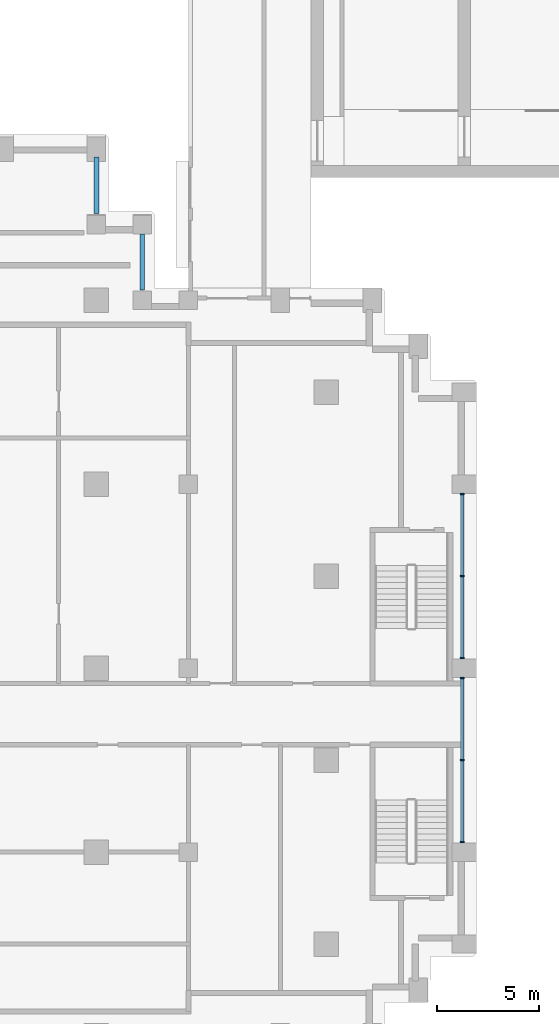
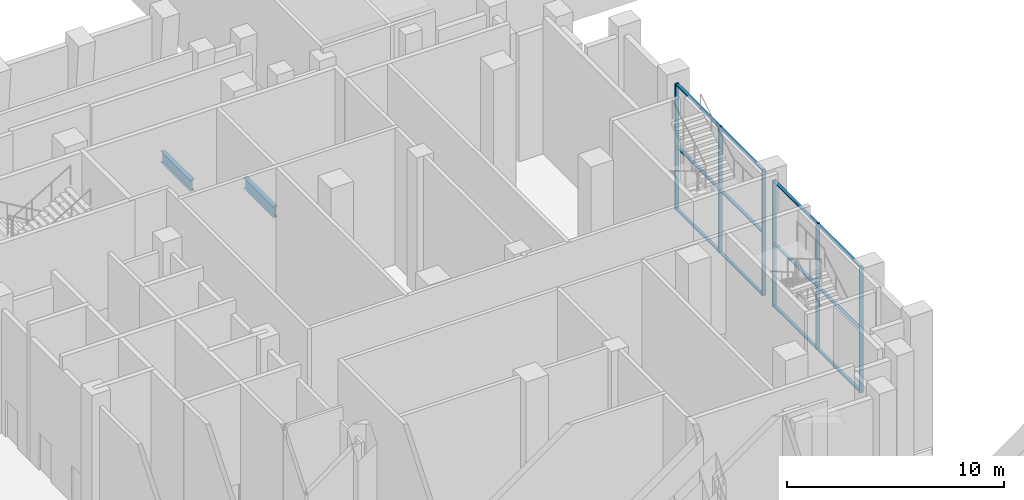
# One storey, part 6 of 24: 18 members, 2 beams, 2 elements without a shape of their own.
"""IFC4 building model written with IfcOpenShell, lengths in metres."""

from ifc_helpers import new_model, si_unit, direction, frame, origin, origin_2d, place, context, subcontext, project, spatial, rectangle, i_section, extrude, material, layer, layer_set, material_profile, profile_set, type_object, element, aggregate, save


model = new_model("IFC4")

# Units and contexts
model_context = context("Model", 3, precision=1e-05, world=origin(), true_north=direction((0.0, 1.0)))
body_context = subcontext(model_context, "Body", "Model", "MODEL_VIEW")
ifc_project = project(units=[si_unit("LENGTHUNIT", "METRE"), si_unit("AREAUNIT", "SQUARE_METRE"), si_unit("VOLUMEUNIT", "CUBIC_METRE"), si_unit("PLANEANGLEUNIT", "RADIAN"), si_unit("MASSUNIT", "GRAM", prefix="KILO")], contexts=[model_context])

# Site, building, storey
site_placement = place(None, origin())
site = spatial("IfcSite", under=ifc_project, at=site_placement, CompositionType="ELEMENT")
building_placement = place(site_placement, origin())
building = spatial("IfcBuilding", under=site, at=building_placement, Name="Corbelhall Arena Tower", CompositionType="ELEMENT")
storey_placement = place(building_placement, frame((0.0, 0.0, 60.0)))
storey = spatial("IfcBuildingStorey", under=building, at=storey_placement, Name="L08", CompositionType="ELEMENT", Elevation=60.0)

# Curtain wall, members
ifc_material_1 = material(Name="Aluminium black anodised", Category="aluminium")
ifc_layer = layer(ifc_material_1, 0.260009765625)
ifc_layer_set = layer_set([ifc_layer], Name="EV-CW6 Ground lobby glazing")
curtain_wall_type = type_object("IfcCurtainWallType", Name="EV-CW6 Ground lobby glazing", PredefinedType="NOTDEFINED", material=ifc_layer_set)
curtain_wall_1_placement = place(storey_placement, origin())
curtain_wall_1 = element("IfcCurtainWall", 1, at=curtain_wall_1_placement, inside=storey, type_object=curtain_wall_type, Name="Curtain wall CW6A", PredefinedType="NOTDEFINED")
ifc_material_profile_1 = material_profile(ifc_material_1, rectangle(XDim=0.199951171875, YDim=0.074951171875, at=origin_2d()))
ifc_profile_set_1 = profile_set([ifc_material_profile_1], Name="Aluminium black anodised")
member_type_1 = type_object("IfcMemberType", Name="EV-CW6-MULLION", PredefinedType="MULLION", material=ifc_profile_set_1)
member_1_placement = place(storey_placement, frame((40.39990234375, -8.512451171875, 0.0), z_axis=(0.0, 0.0, 1.0), x_axis=(-1.0, 0.0, 0.0)))
member_1 = element("IfcMember", 2, at=member_1_placement, type_object=member_type_1, Name="CW6A mullion 1", PredefinedType="MULLION", context=body_context, shape_type="SweptSolid", body=[
    extrude(rectangle(XDim=0.199951171875, YDim=0.074951171875, at=origin_2d()), origin(), (0.0, 0.0, 1.0), 7.10009765625),
])
member_2_placement = place(storey_placement, frame((40.39990234375, -4.5, 0.0), z_axis=(0.0, 0.0, 1.0), x_axis=(-1.0, 0.0, 0.0)))
member_2 = element("IfcMember", 3, at=member_2_placement, type_object=member_type_1, Name="CW6A mullion 2", PredefinedType="MULLION", context=body_context, shape_type="SweptSolid", body=[
    extrude(rectangle(XDim=0.199951171875, YDim=0.074951171875, at=origin_2d()), origin(), (0.0, 0.0, 1.0), 7.10009765625),
])
member_3_placement = place(storey_placement, frame((40.39990234375, -0.487548828125, 0.0), z_axis=(0.0, 0.0, 1.0), x_axis=(-1.0, 0.0, 0.0)))
member_3 = element("IfcMember", 4, at=member_3_placement, type_object=member_type_1, Name="CW6A mullion 3", PredefinedType="MULLION", context=body_context, shape_type="SweptSolid", body=[
    extrude(rectangle(XDim=0.199951171875, YDim=0.074951171875, at=origin_2d()), origin(), (0.0, 0.0, 1.0), 7.10009765625),
])

curtain_wall_2_placement = place(storey_placement, origin())
curtain_wall_2 = element("IfcCurtainWall", 5, at=curtain_wall_2_placement, inside=storey, type_object=curtain_wall_type, Name="Curtain wall CW6A", PredefinedType="NOTDEFINED")
member_4_placement = place(storey_placement, frame((40.39990234375, 0.487548828125, 0.0), z_axis=(0.0, 0.0, 1.0), x_axis=(-1.0, 0.0, 0.0)))
member_4 = element("IfcMember", 6, at=member_4_placement, type_object=member_type_1, Name="CW6A mullion 1", PredefinedType="MULLION", context=body_context, shape_type="SweptSolid", body=[
    extrude(rectangle(XDim=0.199951171875, YDim=0.074951171875, at=origin_2d()), origin(), (0.0, 0.0, 1.0), 7.10009765625),
])
member_5_placement = place(storey_placement, frame((40.39990234375, 4.5, 0.0), z_axis=(0.0, 0.0, 1.0), x_axis=(-1.0, 0.0, 0.0)))
member_5 = element("IfcMember", 7, at=member_5_placement, type_object=member_type_1, Name="CW6A mullion 2", PredefinedType="MULLION", context=body_context, shape_type="SweptSolid", body=[
    extrude(rectangle(XDim=0.199951171875, YDim=0.074951171875, at=origin_2d()), origin(), (0.0, 0.0, 1.0), 7.10009765625),
])
member_6_placement = place(storey_placement, frame((40.39990234375, 8.512451171875, 0.0), z_axis=(0.0, 0.0, 1.0), x_axis=(-1.0, 0.0, 0.0)))
member_6 = element("IfcMember", 8, at=member_6_placement, type_object=member_type_1, Name="CW6A mullion 3", PredefinedType="MULLION", context=body_context, shape_type="SweptSolid", body=[
    extrude(rectangle(XDim=0.199951171875, YDim=0.074951171875, at=origin_2d()), origin(), (0.0, 0.0, 1.0), 7.10009765625),
])

# Member
ifc_material_profile_2 = material_profile(ifc_material_1, rectangle(XDim=0.14990234375, YDim=0.074951171875, at=origin_2d()))
ifc_profile_set_2 = profile_set([ifc_material_profile_2], Name="Aluminium black anodised")
member_type_2 = type_object("IfcMemberType", Name="EV-CW6-TRANSOM", PredefinedType="USERDEFINED", material=ifc_profile_set_2)
member_7_placement = place(storey_placement, frame((40.39990234375, -8.47509765625, 0.03759765625), z_axis=(0.0, 1.0, 0.0), x_axis=(-1.0, 0.0, 0.0)))
member_7 = element("IfcMember", 9, at=member_7_placement, type_object=member_type_2, Name="CW6A transom 1.1", ObjectType="transom", PredefinedType="USERDEFINED", context=body_context, shape_type="SweptSolid", body=[
    extrude(rectangle(XDim=0.14990234375, YDim=0.074951171875, at=origin_2d()), origin(), (0.0, 0.0, 1.0), 3.9375),
])

member_8_placement = place(storey_placement, frame((40.39990234375, -8.47509765625, 3.550048828125), z_axis=(0.0, 1.0, 0.0), x_axis=(-1.0, 0.0, 0.0)))
member_8 = element("IfcMember", 10, at=member_8_placement, type_object=member_type_2, Name="CW6A transom 1.2", ObjectType="transom", PredefinedType="USERDEFINED", context=body_context, shape_type="SweptSolid", body=[
    extrude(rectangle(XDim=0.14990234375, YDim=0.074951171875, at=origin_2d()), origin(), (0.0, 0.0, 1.0), 3.9375),
])

member_9_placement = place(storey_placement, frame((40.39990234375, -8.47509765625, 7.0625), z_axis=(0.0, 1.0, 0.0), x_axis=(-1.0, 0.0, 0.0)))
member_9 = element("IfcMember", 11, at=member_9_placement, type_object=member_type_2, Name="CW6A transom 1.3", ObjectType="transom", PredefinedType="USERDEFINED", context=body_context, shape_type="SweptSolid", body=[
    extrude(rectangle(XDim=0.14990234375, YDim=0.074951171875, at=origin_2d()), origin(), (0.0, 0.0, 1.0), 3.9375),
])

member_10_placement = place(storey_placement, frame((40.39990234375, -4.46240234375, 0.03759765625), z_axis=(0.0, 1.0, 0.0), x_axis=(-1.0, 0.0, 0.0)))
member_10 = element("IfcMember", 12, at=member_10_placement, type_object=member_type_2, Name="CW6A transom 2.1", ObjectType="transom", PredefinedType="USERDEFINED", context=body_context, shape_type="SweptSolid", body=[
    extrude(rectangle(XDim=0.14990234375, YDim=0.074951171875, at=origin_2d()), origin(), (0.0, 0.0, 1.0), 3.9375),
])

member_11_placement = place(storey_placement, frame((40.39990234375, -4.46240234375, 3.550048828125), z_axis=(0.0, 1.0, 0.0), x_axis=(-1.0, 0.0, 0.0)))
member_11 = element("IfcMember", 13, at=member_11_placement, type_object=member_type_2, Name="CW6A transom 2.2", ObjectType="transom", PredefinedType="USERDEFINED", context=body_context, shape_type="SweptSolid", body=[
    extrude(rectangle(XDim=0.14990234375, YDim=0.074951171875, at=origin_2d()), origin(), (0.0, 0.0, 1.0), 3.9375),
])

member_12_placement = place(storey_placement, frame((40.39990234375, -4.46240234375, 7.0625), z_axis=(0.0, 1.0, 0.0), x_axis=(-1.0, 0.0, 0.0)))
member_12 = element("IfcMember", 14, at=member_12_placement, type_object=member_type_2, Name="CW6A transom 2.3", ObjectType="transom", PredefinedType="USERDEFINED", context=body_context, shape_type="SweptSolid", body=[
    extrude(rectangle(XDim=0.14990234375, YDim=0.074951171875, at=origin_2d()), origin(), (0.0, 0.0, 1.0), 3.9375),
])

aggregate(curtain_wall_1, [member_1, member_2, member_3, member_7, member_8, member_9, member_10, member_11, member_12])

member_13_placement = place(storey_placement, frame((40.39990234375, 0.52490234375, 0.03759765625), z_axis=(0.0, 1.0, 0.0), x_axis=(-1.0, 0.0, 0.0)))
member_13 = element("IfcMember", 15, at=member_13_placement, type_object=member_type_2, Name="CW6A transom 1.1", ObjectType="transom", PredefinedType="USERDEFINED", context=body_context, shape_type="SweptSolid", body=[
    extrude(rectangle(XDim=0.14990234375, YDim=0.074951171875, at=origin_2d()), origin(), (0.0, 0.0, 1.0), 3.9375),
])

member_14_placement = place(storey_placement, frame((40.39990234375, 0.52490234375, 3.550048828125), z_axis=(0.0, 1.0, 0.0), x_axis=(-1.0, 0.0, 0.0)))
member_14 = element("IfcMember", 16, at=member_14_placement, type_object=member_type_2, Name="CW6A transom 1.2", ObjectType="transom", PredefinedType="USERDEFINED", context=body_context, shape_type="SweptSolid", body=[
    extrude(rectangle(XDim=0.14990234375, YDim=0.074951171875, at=origin_2d()), origin(), (0.0, 0.0, 1.0), 3.9375),
])

member_15_placement = place(storey_placement, frame((40.39990234375, 0.52490234375, 7.0625), z_axis=(0.0, 1.0, 0.0), x_axis=(-1.0, 0.0, 0.0)))
member_15 = element("IfcMember", 17, at=member_15_placement, type_object=member_type_2, Name="CW6A transom 1.3", ObjectType="transom", PredefinedType="USERDEFINED", context=body_context, shape_type="SweptSolid", body=[
    extrude(rectangle(XDim=0.14990234375, YDim=0.074951171875, at=origin_2d()), origin(), (0.0, 0.0, 1.0), 3.9375),
])

member_16_placement = place(storey_placement, frame((40.39990234375, 4.53759765625, 0.03759765625), z_axis=(0.0, 1.0, 0.0), x_axis=(-1.0, 0.0, 0.0)))
member_16 = element("IfcMember", 18, at=member_16_placement, type_object=member_type_2, Name="CW6A transom 2.1", ObjectType="transom", PredefinedType="USERDEFINED", context=body_context, shape_type="SweptSolid", body=[
    extrude(rectangle(XDim=0.14990234375, YDim=0.074951171875, at=origin_2d()), origin(), (0.0, 0.0, 1.0), 3.9375),
])

member_17_placement = place(storey_placement, frame((40.39990234375, 4.53759765625, 3.550048828125), z_axis=(0.0, 1.0, 0.0), x_axis=(-1.0, 0.0, 0.0)))
member_17 = element("IfcMember", 19, at=member_17_placement, type_object=member_type_2, Name="CW6A transom 2.2", ObjectType="transom", PredefinedType="USERDEFINED", context=body_context, shape_type="SweptSolid", body=[
    extrude(rectangle(XDim=0.14990234375, YDim=0.074951171875, at=origin_2d()), origin(), (0.0, 0.0, 1.0), 3.9375),
])

member_18_placement = place(storey_placement, frame((40.39990234375, 4.53759765625, 7.0625), z_axis=(0.0, 1.0, 0.0), x_axis=(-1.0, 0.0, 0.0)))
member_18 = element("IfcMember", 20, at=member_18_placement, type_object=member_type_2, Name="CW6A transom 2.3", ObjectType="transom", PredefinedType="USERDEFINED", context=body_context, shape_type="SweptSolid", body=[
    extrude(rectangle(XDim=0.14990234375, YDim=0.074951171875, at=origin_2d()), origin(), (0.0, 0.0, 1.0), 3.9375),
])

aggregate(curtain_wall_2, [member_4, member_5, member_6, member_13, member_14, member_15, member_16, member_17, member_18])

# Beams
ifc_material_2 = material(Name="Steel ASTM A992 Gr50", Category="steel")
ifc_material_profile_3 = material_profile(ifc_material_2, i_section(OverallWidth=0.23046875, OverallDepth=0.6171875, WebThickness=0.01318359375, FlangeThickness=0.022216796875, at=origin_2d()))
ifc_profile_set_3 = profile_set([ifc_material_profile_3], Name="Steel ASTM A992 Gr50")
beam_type = type_object("IfcBeamType", Name="ST-SPANDREL-W24x94", PredefinedType="SPANDREL", material=ifc_profile_set_3)
for number, where, z_axis, x_axis, name in (
    (21, (22.5, 25.0, -0.718505859375), (0.0, -1.0, 0.0), (1.0, 0.0, 0.0), "Beam SP 21"),
    (22, (24.75, 21.25, -0.718505859375), (0.0, -1.0, 0.0), (1.0, 0.0, 0.0), "Beam SP 40"),
):
    element("IfcBeam", number, at=place(storey_placement, frame(where, z_axis=z_axis, x_axis=x_axis)), inside=storey, type_object=beam_type, Name=name, PredefinedType="SPANDREL", context=body_context, shape_type="SweptSolid", body=[
        extrude(i_section(OverallWidth=0.23046875, OverallDepth=0.6171875, WebThickness=0.01318359375, FlangeThickness=0.022216796875, at=origin_2d()), origin(), (0.0, 0.0, 1.0), 2.75),
    ])

save(model, "model.ifc")
